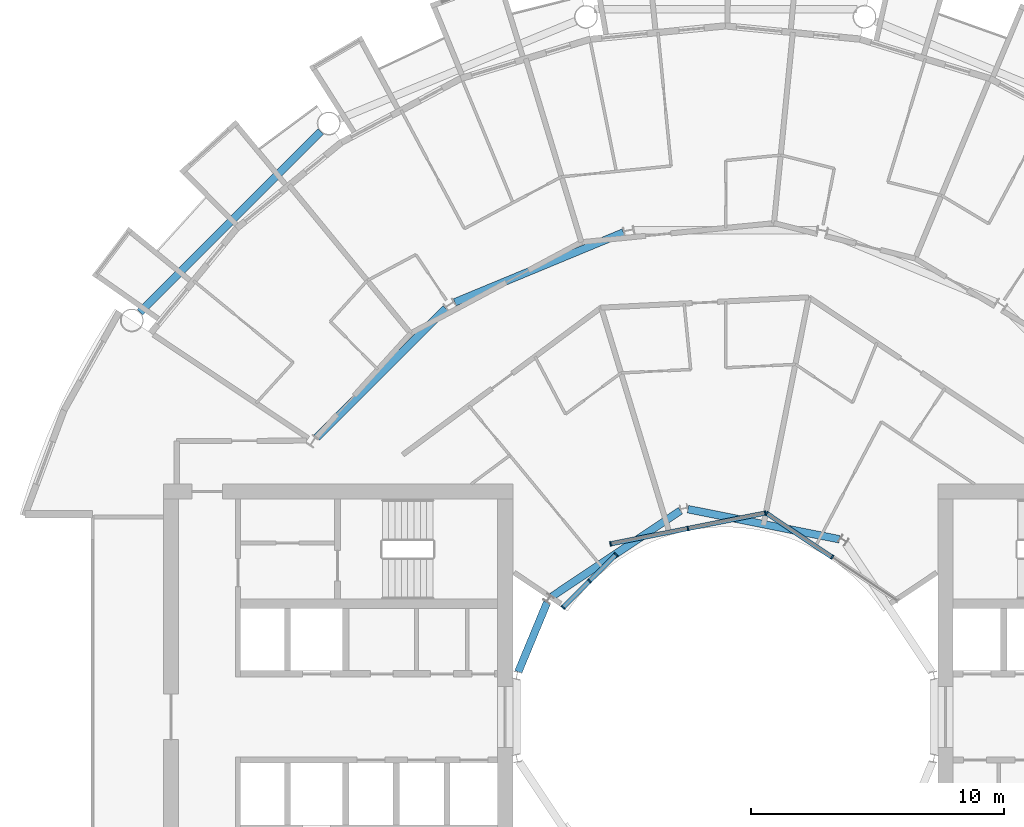
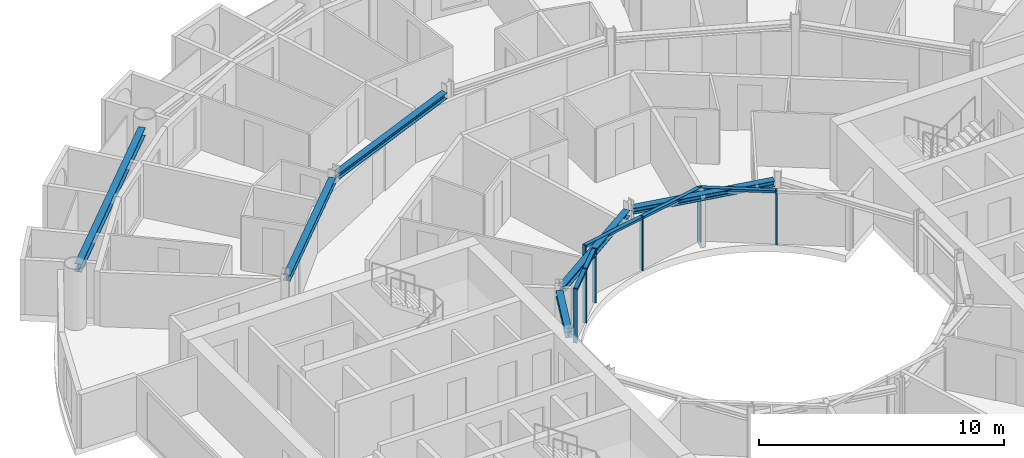
# One storey, part 8 of 26: 13 members, 6 beams, 3 elements without a shape of their own.
"""IFC4 building model written with IfcOpenShell, lengths in metres."""

from ifc_helpers import new_model, si_unit, direction, frame, origin, origin_2d, place, context, subcontext, project, spatial, rectangle, i_section, extrude, material, layer, layer_set, material_profile, profile_set, type_object, element, aggregate, save


model = new_model("IFC4")

# Units and contexts
model_context = context("Model", 3, precision=1e-05, world=origin(), true_north=direction((0.0, 1.0)))
body_context = subcontext(model_context, "Body", "Model", "MODEL_VIEW")
ifc_project = project(units=[si_unit("LENGTHUNIT", "METRE"), si_unit("AREAUNIT", "SQUARE_METRE"), si_unit("VOLUMEUNIT", "CUBIC_METRE"), si_unit("PLANEANGLEUNIT", "RADIAN"), si_unit("MASSUNIT", "GRAM", prefix="KILO")], contexts=[model_context])

# Site, building, storey
site_placement = place(None, origin())
site = spatial("IfcSite", under=ifc_project, at=site_placement, CompositionType="ELEMENT")
building_placement = place(site_placement, origin())
building = spatial("IfcBuilding", under=site, at=building_placement, Name="Maasbend Ring Residences", CompositionType="ELEMENT")
storey_placement = place(building_placement, frame((0.0, 0.0, 123.85009765625)))
storey = spatial("IfcBuildingStorey", under=building, at=storey_placement, Name="L35", CompositionType="ELEMENT", Elevation=123.85009765625)

# Curtain wall, members
ifc_material_1 = material(Name="Aluminium and clear glass", Category="aluminium")
ifc_layer = layer(ifc_material_1, 0.179931640625)
ifc_layer_set = layer_set([ifc_layer], Name="CW-W")
curtain_wall_type = type_object("IfcCurtainWallType", Name="CW-W", PredefinedType="NOTDEFINED", material=ifc_layer_set)
curtain_wall_1_placement = place(storey_placement, origin())
curtain_wall_1 = element("IfcCurtainWall", 1, at=curtain_wall_1_placement, inside=storey, type_object=curtain_wall_type, Name="Well curtain wall N1", PredefinedType="NOTDEFINED")
ifc_material_2 = material(Name="Aluminium 6063-T6", Category="aluminium")
ifc_material_profile_1 = material_profile(ifc_material_2, rectangle(XDim=0.179931640625, YDim=0.06005859375, at=origin_2d()), Name="AL 180x60")
ifc_profile_set_1 = profile_set([ifc_material_profile_1], Name="Aluminium 6063-T6")
member_type_1 = type_object("IfcMemberType", Name="CWM-W", PredefinedType="MULLION", material=ifc_profile_set_1)
member_1_placement = place(storey_placement, frame((4.216796875, 6.310791015625, 0.0), z_axis=(0.0, 0.0, 1.0), x_axis=(-0.55557023302, -0.831469612303, 0.0)))
member_1 = element("IfcMember", 2, at=member_1_placement, type_object=member_type_1, Name="Mullion well face", PredefinedType="MULLION", context=body_context, shape_type="SweptSolid", body=[
    extrude(rectangle(XDim=0.179931640625, YDim=0.06005859375, at=origin_2d()), origin(), (0.0, 0.0, 1.0), 2.699951171875),
])
member_2_placement = place(storey_placement, frame((1.627685546875, 8.040771484375, 0.0), z_axis=(0.0, 0.0, 1.0), x_axis=(-0.55557023302, -0.831469612303, 0.0)))
member_2 = element("IfcMember", 3, at=member_2_placement, type_object=member_type_1, Name="Mullion well face", PredefinedType="MULLION", context=body_context, shape_type="SweptSolid", body=[
    extrude(rectangle(XDim=0.179931640625, YDim=0.06005859375, at=origin_2d()), origin(), (0.0, 0.0, 1.0), 2.699951171875),
])

curtain_wall_2_placement = place(storey_placement, origin())
curtain_wall_2 = element("IfcCurtainWall", 4, at=curtain_wall_2_placement, inside=storey, type_object=curtain_wall_type, Name="Well curtain wall N2", PredefinedType="NOTDEFINED")
member_3_placement = place(storey_placement, frame((1.5732421875, 8.0517578125, 0.0), z_axis=(0.0, 0.0, 1.0), x_axis=(0.195090322016, -0.980785280403, 0.0)))
member_3 = element("IfcMember", 5, at=member_3_placement, type_object=member_type_1, Name="Mullion well face", PredefinedType="MULLION", context=body_context, shape_type="SweptSolid", body=[
    extrude(rectangle(XDim=0.179931640625, YDim=0.06005859375, at=origin_2d()), origin(), (0.0, 0.0, 1.0), 2.699951171875),
])
member_4_placement = place(storey_placement, frame((-1.480712890625, 7.444091796875, 0.0), z_axis=(0.0, 0.0, 1.0), x_axis=(0.195090322016, -0.980785280403, 0.0)))
member_4 = element("IfcMember", 6, at=member_4_placement, type_object=member_type_1, Name="Mullion well face", PredefinedType="MULLION", context=body_context, shape_type="SweptSolid", body=[
    extrude(rectangle(XDim=0.179931640625, YDim=0.06005859375, at=origin_2d()), origin(), (0.0, 0.0, 1.0), 2.699951171875),
])
member_5_placement = place(storey_placement, frame((-4.53466796875, 6.836669921875, 0.0), z_axis=(0.0, 0.0, 1.0), x_axis=(0.195090322016, -0.980785280403, 0.0)))
member_5 = element("IfcMember", 7, at=member_5_placement, type_object=member_type_1, Name="Mullion well face", PredefinedType="MULLION", context=body_context, shape_type="SweptSolid", body=[
    extrude(rectangle(XDim=0.179931640625, YDim=0.06005859375, at=origin_2d()), origin(), (0.0, 0.0, 1.0), 2.699951171875),
])

curtain_wall_3_placement = place(storey_placement, origin())
curtain_wall_3 = element("IfcCurtainWall", 8, at=curtain_wall_3_placement, inside=storey, type_object=curtain_wall_type, Name="Well curtain wall N3", PredefinedType="NOTDEFINED")
member_6_placement = place(storey_placement, frame((-4.320556640625, 6.413330078125, 0.0), z_axis=(0.0, 0.0, 1.0), x_axis=(0.707106781187, -0.707106781187, 0.0)))
member_6 = element("IfcMember", 9, at=member_6_placement, type_object=member_type_1, Name="Mullion well face", PredefinedType="MULLION", context=body_context, shape_type="SweptSolid", body=[
    extrude(rectangle(XDim=0.179931640625, YDim=0.06005859375, at=origin_2d()), origin(), (0.0, 0.0, 1.0), 2.699951171875),
])
member_7_placement = place(storey_placement, frame((-5.366943359375, 5.366943359375, 0.0), z_axis=(0.0, 0.0, 1.0), x_axis=(0.707106781187, -0.707106781187, 0.0)))
member_7 = element("IfcMember", 10, at=member_7_placement, type_object=member_type_1, Name="Mullion well face", PredefinedType="MULLION", context=body_context, shape_type="SweptSolid", body=[
    extrude(rectangle(XDim=0.179931640625, YDim=0.06005859375, at=origin_2d()), origin(), (0.0, 0.0, 1.0), 2.699951171875),
])
member_8_placement = place(storey_placement, frame((-6.413330078125, 4.320556640625, 0.0), z_axis=(0.0, 0.0, 1.0), x_axis=(0.707106781187, -0.707106781187, 0.0)))
member_8 = element("IfcMember", 11, at=member_8_placement, type_object=member_type_1, Name="Mullion well face", PredefinedType="MULLION", context=body_context, shape_type="SweptSolid", body=[
    extrude(rectangle(XDim=0.179931640625, YDim=0.06005859375, at=origin_2d()), origin(), (0.0, 0.0, 1.0), 2.699951171875),
])

# Member
ifc_material_3 = material(Name="Aluminium 6063-T6", Category="aluminium")
ifc_material_profile_2 = material_profile(ifc_material_3, rectangle(XDim=0.179931640625, YDim=0.1201171875, at=origin_2d()), Name="AL 180x120")
ifc_profile_set_2 = profile_set([ifc_material_profile_2], Name="Aluminium 6063-T6")
member_type_2 = type_object("IfcMemberType", Name="CWT-W", PredefinedType="USERDEFINED", material=ifc_profile_set_2)
member_9_placement = place(storey_placement, frame((4.19189453125, 6.32763671875, 2.639892578125), z_axis=(-0.831496422459, 0.555530106689, 0.0), x_axis=(-0.555530106689, -0.831496422459, 0.0)))
member_9 = element("IfcMember", 12, at=member_9_placement, type_object=member_type_2, Name="Transom well face", ObjectType="TRANSOM", PredefinedType="USERDEFINED", context=body_context, shape_type="SweptSolid", body=[
    extrude(rectangle(XDim=0.179931640625, YDim=0.1201171875, at=origin_2d()), origin(), (0.0, 0.0, 1.0), 3.053955078125),
])

aggregate(curtain_wall_1, [member_1, member_2, member_9])

member_10_placement = place(storey_placement, frame((1.5439453125, 8.0458984375, 2.639892578125), z_axis=(-0.980776956105, -0.195132166424, 0.0), x_axis=(0.195132166424, -0.980776956105, 0.0)))
member_10 = element("IfcMember", 13, at=member_10_placement, type_object=member_type_2, Name="Transom well face", ObjectType="TRANSOM", PredefinedType="USERDEFINED", context=body_context, shape_type="SweptSolid", body=[
    extrude(rectangle(XDim=0.179931640625, YDim=0.1201171875, at=origin_2d()), origin(), (0.0, 0.0, 1.0), 3.053955078125),
])

member_11_placement = place(storey_placement, frame((-1.51025390625, 7.438232421875, 2.639892578125), z_axis=(-0.980789210404, -0.19507056353, 0.0), x_axis=(0.19507056353, -0.980789210404, 0.0)))
member_11 = element("IfcMember", 14, at=member_11_placement, type_object=member_type_2, Name="Transom well face", ObjectType="TRANSOM", PredefinedType="USERDEFINED", context=body_context, shape_type="SweptSolid", body=[
    extrude(rectangle(XDim=0.179931640625, YDim=0.1201171875, at=origin_2d()), origin(), (0.0, 0.0, 1.0), 3.0537109375),
])

aggregate(curtain_wall_2, [member_3, member_4, member_5, member_10, member_11])

member_12_placement = place(storey_placement, frame((-4.341796875, 6.39208984375, 2.639892578125), z_axis=(-0.707106781187, -0.707106781187, 0.0), x_axis=(0.707106781187, -0.707106781187, 0.0)))
member_12 = element("IfcMember", 15, at=member_12_placement, type_object=member_type_2, Name="Transom well face", ObjectType="TRANSOM", PredefinedType="USERDEFINED", context=body_context, shape_type="SweptSolid", body=[
    extrude(rectangle(XDim=0.179931640625, YDim=0.1201171875, at=origin_2d()), origin(), (0.0, 0.0, 1.0), 1.419677734375),
])

member_13_placement = place(storey_placement, frame((-5.38818359375, 5.345703125, 2.639892578125), z_axis=(-0.707106781187, -0.707106781187, 0.0), x_axis=(0.707106781187, -0.707106781187, 0.0)))
member_13 = element("IfcMember", 16, at=member_13_placement, type_object=member_type_2, Name="Transom well face", ObjectType="TRANSOM", PredefinedType="USERDEFINED", context=body_context, shape_type="SweptSolid", body=[
    extrude(rectangle(XDim=0.179931640625, YDim=0.1201171875, at=origin_2d()), origin(), (0.0, 0.0, 1.0), 1.419677734375),
])

aggregate(curtain_wall_3, [member_6, member_7, member_8, member_12, member_13])

# Beams
ifc_material_4 = material(Name="Steel S355J2", Category="steel")
ifc_material_profile_3 = material_profile(ifc_material_4, i_section(OverallWidth=0.300048828125, OverallDepth=0.2900390625, WebThickness=0.008544921875, FlangeThickness=0.013916015625, FilletRadius=0.027099609375, at=origin_2d()), Name="HEA 300")
ifc_profile_set_3 = profile_set([ifc_material_profile_3], Name="Steel S355J2")
beam_type_1 = type_object("IfcBeamType", Name="Corridor ring beam HEA 300", PredefinedType="BEAM", material=ifc_profile_set_3)
for number, where, z_axis, x_axis, name in (
    (17, (-4.02734375, 19.13916015625, 2.554931640625), (-0.923877693919, -0.382687871089, 0.0), (0.382687871089, -0.923877693919, 0.0), "Corridor ring beam"),
    (18, (-11.044921875, 16.14111328125, 2.554931640625), (-0.707106781187, -0.707106781187, 0.0), (0.707106781187, -0.707106781187, 0.0), "Corridor ring beam"),
):
    element("IfcBeam", number, at=place(storey_placement, frame(where, z_axis=z_axis, x_axis=x_axis)), inside=storey, type_object=beam_type_1, Name=name, PredefinedType="BEAM", context=body_context, shape_type="SweptSolid", body=[
        extrude(i_section(OverallWidth=0.300048828125, OverallDepth=0.2900390625, WebThickness=0.008544921875, FlangeThickness=0.013916015625, FilletRadius=0.027099609375, at=origin_2d()), origin(), (0.0, 0.0, 1.0), 7.20703125),
    ])
ifc_material_5 = material(Name="Steel S355J2", Category="steel")
ifc_material_profile_4 = material_profile(ifc_material_5, i_section(OverallWidth=0.300048828125, OverallDepth=0.39990234375, WebThickness=0.013427734375, FlangeThickness=0.02392578125, FilletRadius=0.027099609375, at=origin_2d()), Name="HEB 400")
ifc_profile_set_4 = profile_set([ifc_material_profile_4], Name="Steel S355J2")
beam_type_2 = type_object("IfcBeamType", Name="Spandrel ring beam HEB 400", PredefinedType="SPANDREL", material=ifc_profile_set_4)
beam_1_placement = place(storey_placement, frame((-15.990234375, 23.124267578125, 2.5), z_axis=(-0.707106781187, -0.707106781187, 0.0), x_axis=(0.707106781187, -0.707106781187, 0.0)))
element("IfcBeam", 19, at=beam_1_placement, inside=storey, type_object=beam_type_2, Name="Spandrel ring beam", PredefinedType="SPANDREL", context=body_context, shape_type="SweptSolid", body=[
    extrude(i_section(OverallWidth=0.300048828125, OverallDepth=0.39990234375, WebThickness=0.013427734375, FlangeThickness=0.02392578125, FilletRadius=0.027099609375, at=origin_2d()), origin(), (0.0, 0.0, 1.0), 10.089111328125),
])
ifc_material_6 = material(Name="Steel S355J2", Category="steel")
ifc_material_profile_5 = material_profile(ifc_material_6, i_section(OverallWidth=0.300048828125, OverallDepth=0.2900390625, WebThickness=0.008544921875, FlangeThickness=0.013916015625, FilletRadius=0.027099609375, at=origin_2d()), Name="HEA 300")
ifc_profile_set_5 = profile_set([ifc_material_profile_5], Name="Steel S355J2")
beam_type_3 = type_object("IfcBeamType", Name="Well edge beam HEA 300", PredefinedType="BEAM", material=ifc_profile_set_5)
beam_2_placement = place(storey_placement, frame((4.507568359375, 7.01611328125, 2.554931640625), z_axis=(-0.980792381321, 0.195054619896, 0.0), x_axis=(-0.195054619896, -0.980792381321, 0.0)))
element("IfcBeam", 20, at=beam_2_placement, inside=storey, type_object=beam_type_3, Name="Well edge beam", PredefinedType="BEAM", context=body_context, shape_type="SweptSolid", body=[
    extrude(i_section(OverallWidth=0.300048828125, OverallDepth=0.2900390625, WebThickness=0.008544921875, FlangeThickness=0.013916015625, FilletRadius=0.027099609375, at=origin_2d()), origin(), (0.0, 0.0, 1.0), 6.104248046875),
])
beam_3_placement = place(storey_placement, frame((-1.773681640625, 8.1484375, 2.554931640625), z_axis=(-0.831477628137, -0.555558236289, 0.0), x_axis=(0.555558236289, -0.831477628137, 0.0)))
element("IfcBeam", 21, at=beam_3_placement, inside=storey, type_object=beam_type_3, Name="Well edge beam", PredefinedType="BEAM", context=body_context, shape_type="SweptSolid", body=[
    extrude(i_section(OverallWidth=0.300048828125, OverallDepth=0.2900390625, WebThickness=0.008544921875, FlangeThickness=0.013916015625, FilletRadius=0.027099609375, at=origin_2d()), origin(), (0.0, 0.0, 1.0), 6.1044921875),
])
beam_4_placement = place(storey_placement, frame((-7.042724609375, 4.525390625, 2.554931640625), z_axis=(-0.382765370874, -0.923845588212, 0.0), x_axis=(0.923845588212, -0.382765370874, 0.0)))
element("IfcBeam", 22, at=beam_4_placement, inside=storey, type_object=beam_type_3, Name="Well edge beam", PredefinedType="BEAM", context=body_context, shape_type="SweptSolid", body=[
    extrude(i_section(OverallWidth=0.300048828125, OverallDepth=0.2900390625, WebThickness=0.008544921875, FlangeThickness=0.013916015625, FilletRadius=0.027099609375, at=origin_2d()), origin(), (0.0, 0.0, 1.0), 2.9716796875),
])

save(model, "model.ifc")
